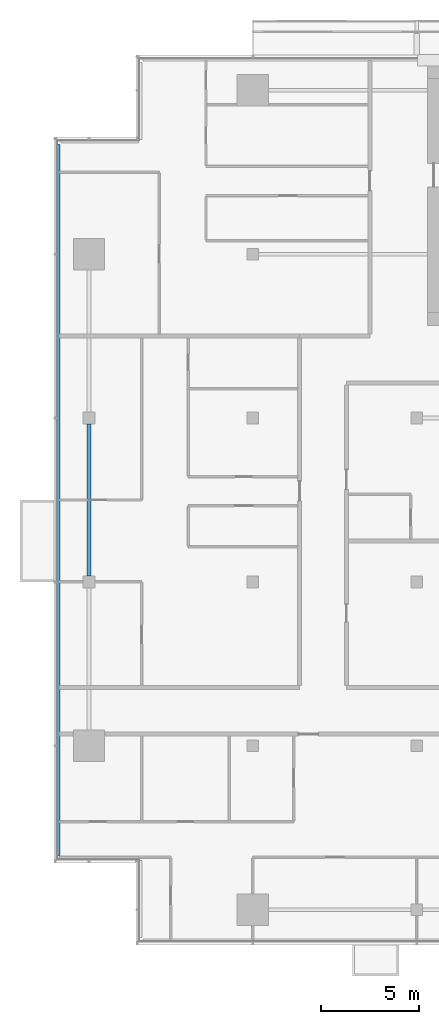
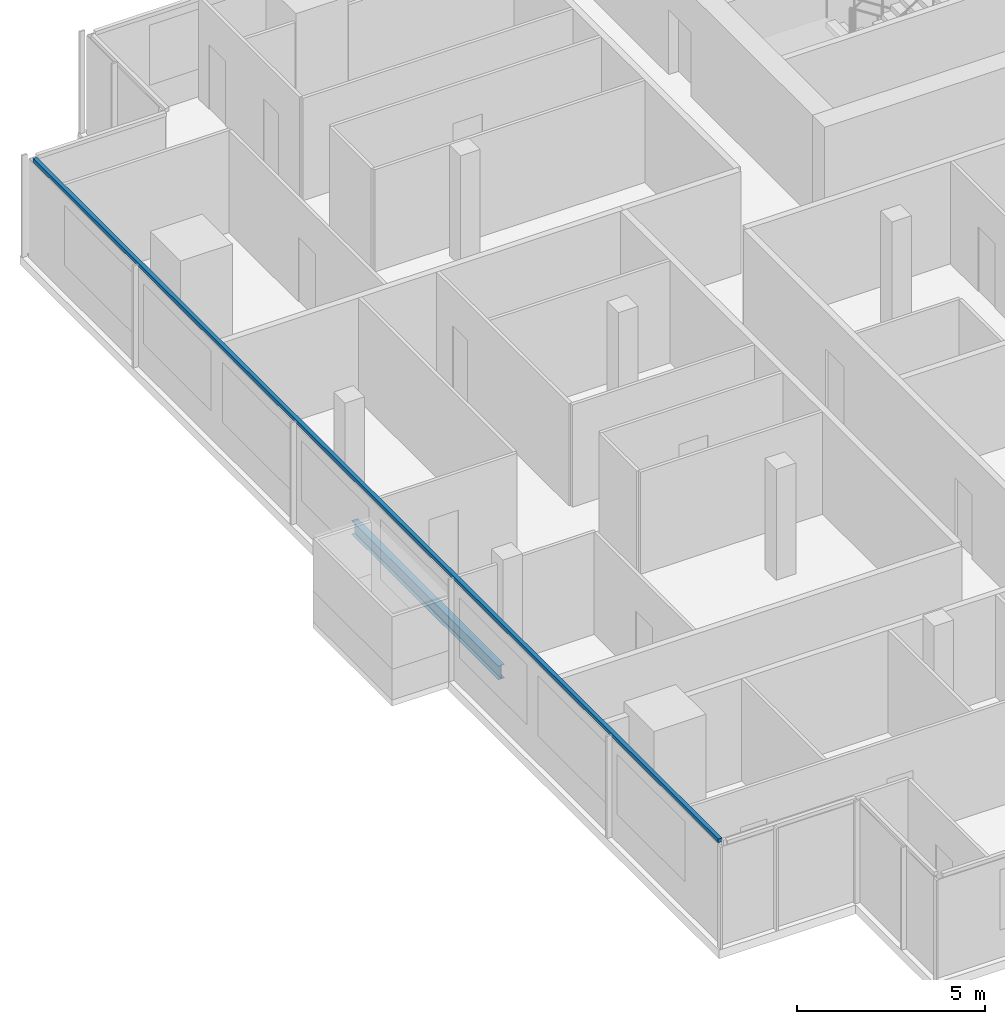
# One storey, part 3 of 27: 1 beam, 1 member, 1 element without a shape of its own.
"""IFC4 building model written with IfcOpenShell, lengths in metres."""

from ifc_helpers import new_model, si_unit, direction, frame, origin, origin_2d, place, context, subcontext, project, spatial, rectangle, i_section, extrude, material, material_profile, profile_set, type_object, element, aggregate, save


model = new_model("IFC4")

# Units and contexts
model_context = context("Model", 3, precision=1e-05, world=origin(), true_north=direction((0.0, 1.0)))
body_context = subcontext(model_context, "Body", "Model", "MODEL_VIEW")
ifc_project = project(units=[si_unit("LENGTHUNIT", "METRE"), si_unit("AREAUNIT", "SQUARE_METRE"), si_unit("VOLUMEUNIT", "CUBIC_METRE"), si_unit("PLANEANGLEUNIT", "RADIAN"), si_unit("MASSUNIT", "GRAM", prefix="KILO")], contexts=[model_context])

# Site, building, storey
site_placement = place(None, origin())
site = spatial("IfcSite", under=ifc_project, at=site_placement, CompositionType="ELEMENT")
building_placement = place(site_placement, origin())
building = spatial("IfcBuilding", under=site, at=building_placement, Name="Saffron Gate Tower", CompositionType="ELEMENT")
storey_placement = place(building_placement, frame((0.0, 0.0, 234.300048828125)))
storey = spatial("IfcBuildingStorey", under=building, at=storey_placement, Name="L57", CompositionType="ELEMENT", Elevation=234.300048828125)

# Beam
ifc_material_1 = material(Name="Structural steel S355", Category="steel")
ifc_material_profile_1 = material_profile(ifc_material_1, i_section(OverallWidth=0.18994140625, OverallDepth=0.449951171875, WebThickness=0.009521484375, FlangeThickness=0.0146484375, FilletRadius=0.02099609375, at=origin_2d()))
ifc_profile_set_1 = profile_set([ifc_material_profile_1], Name="Structural steel S355")
beam_type = type_object("IfcBeamType", Name="B7 IPE 450", PredefinedType="SPANDREL", material=ifc_profile_set_1)
beam_placement = place(storey_placement, frame((49.800048828125, 48.89990234375, -0.505126953125), z_axis=(0.0, 1.0, 0.0), x_axis=(-1.0, 0.0, 0.0)))
element("IfcBeam", 1, at=beam_placement, inside=storey, type_object=beam_type, Name="B7 SPANDREL BEAM", PredefinedType="SPANDREL", context=body_context, shape_type="SweptSolid", body=[
    extrude(i_section(OverallWidth=0.18994140625, OverallDepth=0.449951171875, WebThickness=0.009521484375, FlangeThickness=0.0146484375, FilletRadius=0.02099609375, at=origin_2d()), origin(), (0.0, 0.0, 1.0), 7.800048828125),
])

# Curtain wall, member
ifc_material_2 = material(Name="Aluminium, bronze anodised", Category="aluminium")
curtain_wall_type = type_object("IfcCurtainWallType", Name="CWS2 curtain wall side facades", PredefinedType="NOTDEFINED", material=ifc_material_2)
curtain_wall_placement = place(storey_placement, origin())
curtain_wall = element("IfcCurtainWall", 2, at=curtain_wall_placement, inside=storey, type_object=curtain_wall_type, Name="CWS2 run 10", PredefinedType="NOTDEFINED")
ifc_material_profile_2 = material_profile(ifc_material_2, rectangle(XDim=0.1201171875, YDim=0.1201171875, at=origin_2d()))
ifc_profile_set_2 = profile_set([ifc_material_profile_2], Name="Aluminium, bronze anodised")
member_type = type_object("IfcMemberType", Name="CWS2 head transom", PredefinedType="USERDEFINED", material=ifc_profile_set_2)
member_placement = place(storey_placement, frame((48.248046875, 71.031982421875, 3.260009765625), z_axis=(0.0, -1.0, 0.0), x_axis=(1.0, 0.0, 0.0)))
member = element("IfcMember", 3, at=member_placement, type_object=member_type, Name="CWS2 head transom", ObjectType="TRANSOM", PredefinedType="USERDEFINED", context=body_context, shape_type="SweptSolid", body=[
    extrude(rectangle(XDim=0.1201171875, YDim=0.1201171875, at=origin_2d()), origin(), (0.0, 0.0, 1.0), 36.4638671875),
])
aggregate(curtain_wall, [member])

save(model, "model.ifc")
